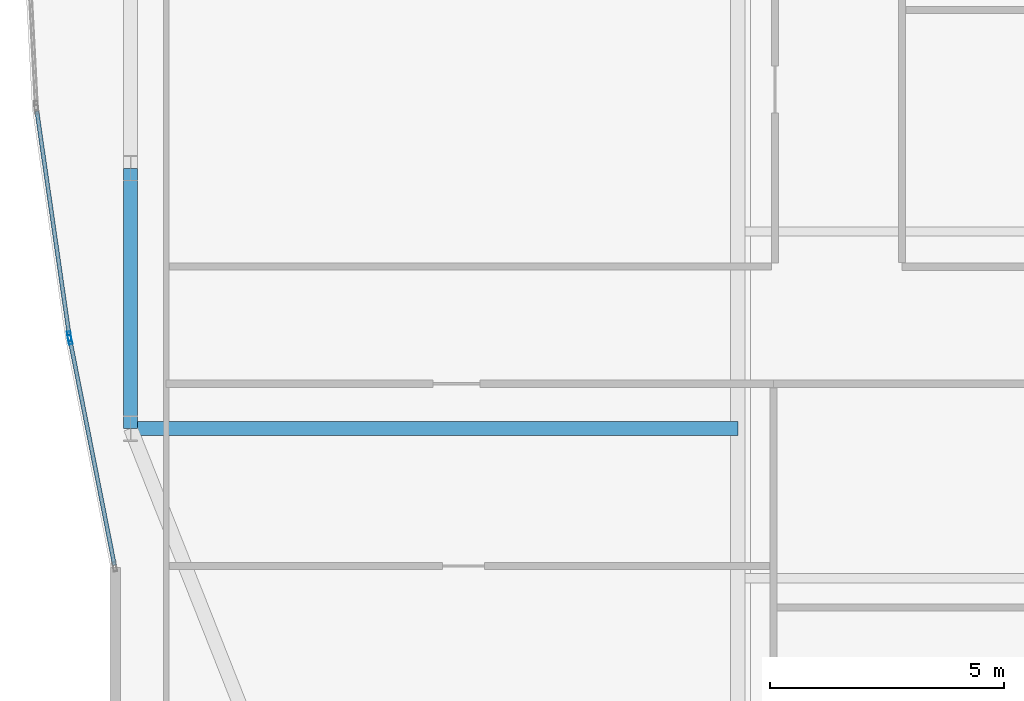
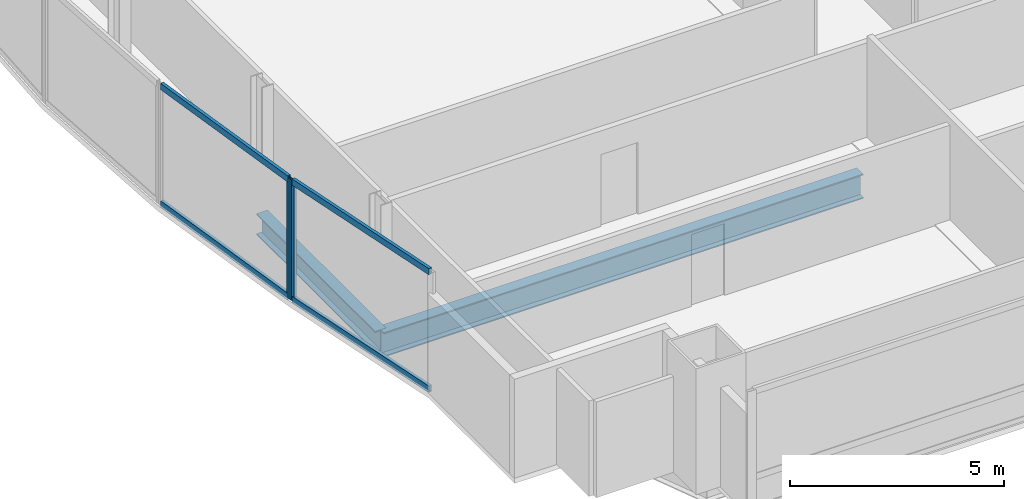
# One storey, part 6 of 29: 6 members, 2 beams, 2 elements without a shape of their own.
"""IFC4 building model written with IfcOpenShell, lengths in metres."""

from ifc_helpers import new_model, si_unit, direction, frame, origin, origin_2d, place, context, subcontext, project, spatial, hollow_rectangle, i_section, extrude, material, material_profile, profile_set, type_object, element, aggregate, save


model = new_model("IFC4")

# Units and contexts
model_context = context("Model", 3, precision=1e-05, world=origin(), true_north=direction((0.0, 1.0)))
body_context = subcontext(model_context, "Body", "Model", "MODEL_VIEW")
ifc_project = project(units=[si_unit("LENGTHUNIT", "METRE"), si_unit("AREAUNIT", "SQUARE_METRE"), si_unit("VOLUMEUNIT", "CUBIC_METRE"), si_unit("PLANEANGLEUNIT", "RADIAN"), si_unit("MASSUNIT", "GRAM", prefix="KILO")], contexts=[model_context])

# Site, building, storey
site_placement = place(None, origin())
site = spatial("IfcSite", under=ifc_project, at=site_placement, CompositionType="ELEMENT")
building_placement = place(site_placement, origin())
building = spatial("IfcBuilding", under=site, at=building_placement, Name="Khoronbel Lancet Exchange", CompositionType="ELEMENT")
storey_placement = place(building_placement, frame((0.0, 0.0, 154.199951171875)))
storey = spatial("IfcBuildingStorey", under=building, at=storey_placement, Name="L38", CompositionType="ELEMENT", Elevation=154.199951171875)

# Beams
ifc_material_1 = material(Name="Steel S355", Category="steel")
ifc_material_profile_1 = material_profile(ifc_material_1, i_section(OverallWidth=0.300048828125, OverallDepth=0.699951171875, WebThickness=0.01708984375, FlangeThickness=0.031982421875, at=origin_2d()), Name="HEB 700")
ifc_profile_set_1 = profile_set([ifc_material_profile_1], Name="Steel S355")
beam_type_1 = type_object("IfcBeamType", Name="BM-BG3", PredefinedType="BEAM", material=ifc_profile_set_1)
beam_1_placement = place(storey_placement, frame((5.27001953125, 19.199951171875, -0.510009765625), z_axis=(1.0, 0.0, 0.0), x_axis=(0.0, 1.0, 0.0)))
element("IfcBeam", 1, at=beam_1_placement, inside=storey, type_object=beam_type_1, Name="Level L38 west lens tie girder LG1W", PredefinedType="BEAM", context=body_context, shape_type="SweptSolid", body=[
    extrude(i_section(OverallWidth=0.300048828125, OverallDepth=0.699951171875, WebThickness=0.01708984375, FlangeThickness=0.031982421875, at=origin_2d()), origin(), (0.0, 0.0, 1.0), 12.955078125),
])
ifc_material_profile_2 = material_profile(ifc_material_1, i_section(OverallWidth=0.300048828125, OverallDepth=0.60009765625, WebThickness=0.015380859375, FlangeThickness=0.030029296875, at=origin_2d()), Name="HEB 600")
ifc_profile_set_2 = profile_set([ifc_material_profile_2], Name="Steel S355")
beam_type_2 = type_object("IfcBeamType", Name="BM-BSP2", PredefinedType="SPANDREL", material=ifc_profile_set_2)
beam_2_placement = place(storey_placement, frame((5.27001953125, 24.75, -0.4599609375), z_axis=(0.0, -1.0, 0.0), x_axis=(1.0, 0.0, 0.0)))
element("IfcBeam", 2, at=beam_2_placement, inside=storey, type_object=beam_type_2, Name="Level L38 perimeter spandrel beam SP20", PredefinedType="SPANDREL", context=body_context, shape_type="SweptSolid", body=[
    extrude(i_section(OverallWidth=0.300048828125, OverallDepth=0.60009765625, WebThickness=0.015380859375, FlangeThickness=0.030029296875, at=origin_2d()), origin(), (0.0, 0.0, 1.0), 5.550048828125),
])

# Curtain wall, member
ifc_material_2 = material(Name="Low-E Solar Control Insulating Glass", Category="glass")
curtain_wall_type = type_object("IfcCurtainWallType", Name="CW-4", PredefinedType="NOTDEFINED", material=ifc_material_2)
curtain_wall_1_placement = place(storey_placement, origin())
curtain_wall_1 = element("IfcCurtainWall", 3, at=curtain_wall_1_placement, inside=storey, type_object=curtain_wall_type, Name="Unitised curtain wall CW-L38-E04", PredefinedType="NOTDEFINED")
ifc_material_3 = material(Name="Bronze-Anodised Aluminium 6063-T6", Category="aluminium")
ifc_material_profile_3 = material_profile(ifc_material_3, hollow_rectangle(XDim=0.074951171875, YDim=0.199951171875, WallThickness=0.0048828125, at=origin_2d()), Name="ALU MULLION 75x200")
ifc_profile_set_3 = profile_set([ifc_material_profile_3], Name="Bronze-Anodised Aluminium 6063-T6")
member_type_1 = type_object("IfcMemberType", Name="MEM-CWM2", PredefinedType="MULLION", material=ifc_profile_set_3)
member_1_placement = place(storey_placement, frame((3.97607421875, 21.09521484375, 0.0), z_axis=(0.0, 0.0, 1.0), x_axis=(-0.981091608053, -0.193543939735, 0.0)))
member_1 = element("IfcMember", 4, at=member_1_placement, type_object=member_type_1, Name="CW4 mullion 2", PredefinedType="MULLION", context=body_context, shape_type="SweptSolid", body=[
    extrude(hollow_rectangle(XDim=0.074951171875, YDim=0.199951171875, WallThickness=0.0048828125, at=origin_2d()), origin(), (0.0, 0.0, 1.0), 3.43994140625),
])

curtain_wall_2_placement = place(storey_placement, origin())
curtain_wall_2 = element("IfcCurtainWall", 5, at=curtain_wall_2_placement, inside=storey, type_object=curtain_wall_type, Name="Unitised curtain wall CW-L38-E05", PredefinedType="NOTDEFINED")
member_2_placement = place(storey_placement, frame((3.96337890625, 21.1689453125, 0.0), z_axis=(0.0, 0.0, 1.0), x_axis=(-0.989732666103, -0.142930926147, 0.0)))
member_2 = element("IfcMember", 6, at=member_2_placement, type_object=member_type_1, Name="CW4 mullion 1", PredefinedType="MULLION", context=body_context, shape_type="SweptSolid", body=[
    extrude(hollow_rectangle(XDim=0.074951171875, YDim=0.199951171875, WallThickness=0.0048828125, at=origin_2d()), origin(), (0.0, 0.0, 1.0), 3.43994140625),
])

# Member
ifc_material_profile_4 = material_profile(ifc_material_3, hollow_rectangle(XDim=0.0849609375, YDim=0.179931640625, WallThickness=0.0048828125, at=origin_2d()), Name="ALU TRANSOM 85x180")
ifc_profile_set_4 = profile_set([ifc_material_profile_4], Name="Bronze-Anodised Aluminium 6063-T6")
member_type_2 = type_object("IfcMemberType", Name="MEM-CWT1", PredefinedType="USERDEFINED", material=ifc_profile_set_4)
member_3_placement = place(storey_placement, frame((4.925537109375, 16.282470703125, 0.04248046875), z_axis=(-0.193540296935, 0.981092326676, 0.0), x_axis=(-0.981092326676, -0.193540296935, 0.0)))
member_3 = element("IfcMember", 7, at=member_3_placement, type_object=member_type_2, Name="CW4 transom 1.1", ObjectType="TRANSOM", PredefinedType="USERDEFINED", context=body_context, shape_type="SweptSolid", body=[
    extrude(hollow_rectangle(XDim=0.0849609375, YDim=0.179931640625, WallThickness=0.0048828125, at=origin_2d()), origin(), (0.0, 0.0, 1.0), 4.867919921875),
])

member_4_placement = place(storey_placement, frame((4.925537109375, 16.282470703125, 3.3974609375), z_axis=(-0.193540296935, 0.981092326676, 0.0), x_axis=(-0.981092326676, -0.193540296935, 0.0)))
member_4 = element("IfcMember", 8, at=member_4_placement, type_object=member_type_2, Name="CW4 transom 1.2", ObjectType="TRANSOM", PredefinedType="USERDEFINED", context=body_context, shape_type="SweptSolid", body=[
    extrude(hollow_rectangle(XDim=0.0849609375, YDim=0.179931640625, WallThickness=0.0048828125, at=origin_2d()), origin(), (0.0, 0.0, 1.0), 4.867919921875),
])

aggregate(curtain_wall_1, [member_1, member_3, member_4])

member_5_placement = place(storey_placement, frame((3.9580078125, 21.2060546875, 0.04248046875), z_axis=(-0.142898903249, 0.989737290118, 0.0), x_axis=(-0.989737290118, -0.142898903249, 0.0)))
member_5 = element("IfcMember", 9, at=member_5_placement, type_object=member_type_2, Name="CW4 transom 1.1", ObjectType="TRANSOM", PredefinedType="USERDEFINED", context=body_context, shape_type="SweptSolid", body=[
    extrude(hollow_rectangle(XDim=0.0849609375, YDim=0.179931640625, WallThickness=0.0048828125, at=origin_2d()), origin(), (0.0, 0.0, 1.0), 4.81103515625),
])

member_6_placement = place(storey_placement, frame((3.9580078125, 21.2060546875, 3.3974609375), z_axis=(-0.142898903249, 0.989737290118, 0.0), x_axis=(-0.989737290118, -0.142898903249, 0.0)))
member_6 = element("IfcMember", 10, at=member_6_placement, type_object=member_type_2, Name="CW4 transom 1.2", ObjectType="TRANSOM", PredefinedType="USERDEFINED", context=body_context, shape_type="SweptSolid", body=[
    extrude(hollow_rectangle(XDim=0.0849609375, YDim=0.179931640625, WallThickness=0.0048828125, at=origin_2d()), origin(), (0.0, 0.0, 1.0), 4.81103515625),
])

aggregate(curtain_wall_2, [member_2, member_5, member_6])

save(model, "model.ifc")
